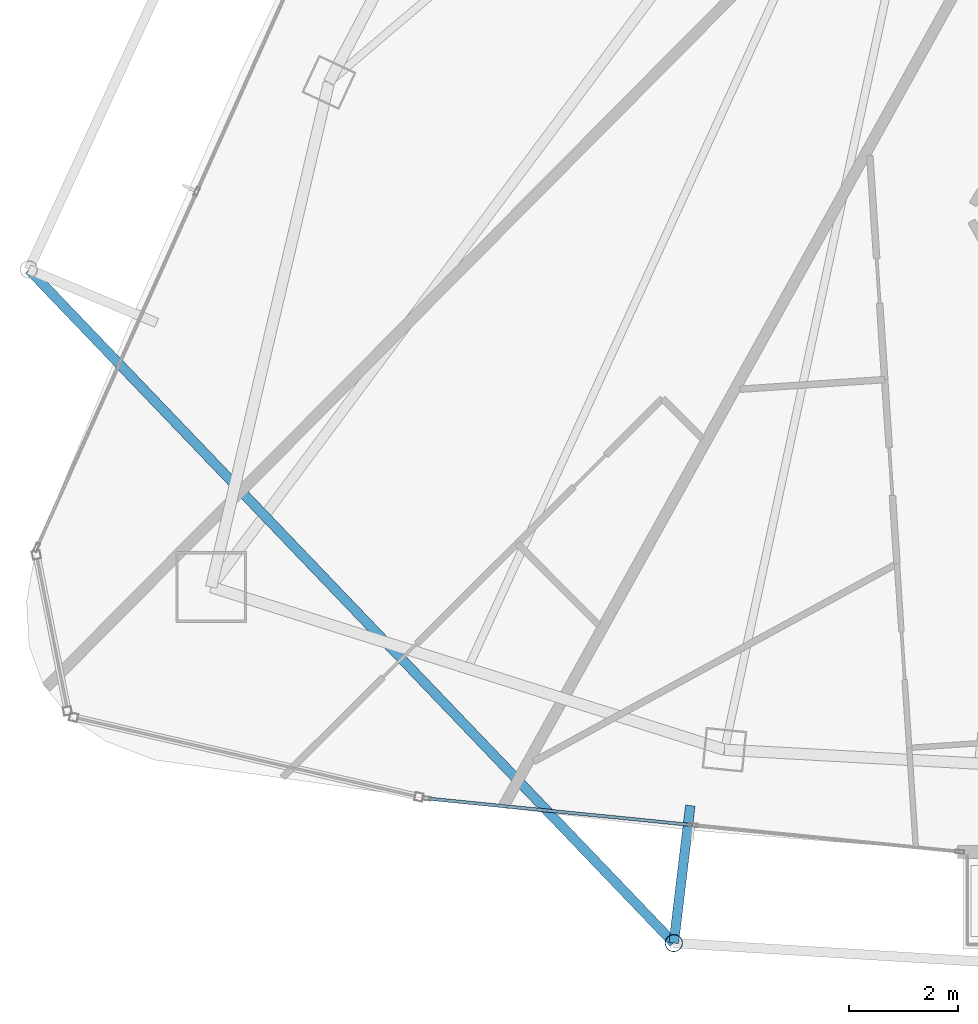
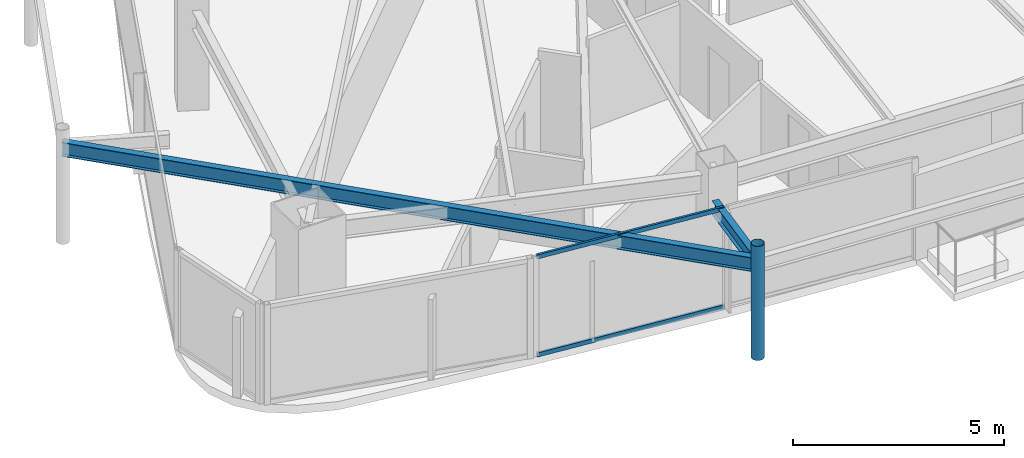
# One storey, part 3 of 29: 3 members, 2 beams, 1 element without a shape of its own.
"""IFC4 building model written with IfcOpenShell, lengths in metres."""

from ifc_helpers import new_model, si_unit, direction, frame, origin, origin_2d, place, context, subcontext, project, spatial, hollow_rectangle, hollow_circle, i_section, extrude, material, layer, layer_set, material_profile, profile_set, type_object, element, aggregate, save


model = new_model("IFC4")

# Units and contexts
model_context = context("Model", 3, precision=1e-05, world=origin(), true_north=direction((0.0, 1.0)))
body_context = subcontext(model_context, "Body", "Model", "MODEL_VIEW")
ifc_project = project(units=[si_unit("LENGTHUNIT", "METRE"), si_unit("AREAUNIT", "SQUARE_METRE"), si_unit("VOLUMEUNIT", "CUBIC_METRE"), si_unit("PLANEANGLEUNIT", "RADIAN"), si_unit("MASSUNIT", "GRAM", prefix="KILO")], contexts=[model_context])

# Site, building, storey
site_placement = place(None, origin())
site = spatial("IfcSite", under=ifc_project, at=site_placement, CompositionType="ELEMENT")
building_placement = place(site_placement, origin())
building = spatial("IfcBuilding", under=site, at=building_placement, Name="Orvanel Arch Residences", CompositionType="ELEMENT")
storey_placement = place(building_placement, frame((0.0, 0.0, 253.550048828125)))
storey = spatial("IfcBuildingStorey", under=building, at=storey_placement, Name="L72", CompositionType="ELEMENT", Elevation=253.550048828125)

# Beams
ifc_material_1 = material(Name="Structural steel AS/NZS 3679.1 Grade 300 (300 MPa)", Category="steel")
ifc_material_profile_1 = material_profile(ifc_material_1, i_section(OverallWidth=0.177978515625, OverallDepth=0.406005859375, WebThickness=0.0078125, FlangeThickness=0.0126953125, at=origin_2d()), Name="410UB59.7")
ifc_profile_set_1 = profile_set([ifc_material_profile_1], Name="Structural steel AS/NZS 3679.1 Grade 300 (300 MPa)")
beam_type = type_object("IfcBeamType", Name="OB-410UB-EXT", PredefinedType="SPANDREL", material=ifc_profile_set_1)
beam_1_placement = place(storey_placement, frame((10.841064453125, 16.197021484375, 2.697021484375), z_axis=(0.691619639198, -0.722261915565, 0.0), x_axis=(0.722261915565, 0.691619639198, 0.0)))
element("IfcBeam", 1, at=beam_1_placement, inside=storey, type_object=beam_type, Name="L72 Outer Perimeter Floor Ring Beam 04", PredefinedType="SPANDREL", context=body_context, shape_type="SweptSolid", body=[
    extrude(i_section(OverallWidth=0.177978515625, OverallDepth=0.406005859375, WebThickness=0.0078125, FlangeThickness=0.0126953125, at=origin_2d()), origin(), (0.0, 0.0, 1.0), 17.169921875),
])
beam_2_placement = place(storey_placement, frame((23.02001953125, 6.327880859375, 2.697021484375), z_axis=(-0.119190521137, -0.992871401376, 0.0), x_axis=(0.992871401376, -0.119190521137, 0.0)))
element("IfcBeam", 2, at=beam_2_placement, inside=storey, type_object=beam_type, Name="L72 Outer Frame Radial Tie Beam 05", PredefinedType="SPANDREL", context=body_context, shape_type="SweptSolid", body=[
    extrude(i_section(OverallWidth=0.177978515625, OverallDepth=0.406005859375, WebThickness=0.0078125, FlangeThickness=0.0126953125, at=origin_2d()), origin(), (0.0, 0.0, 1.0), 2.550048828125),
])

# Member
ifc_material_2 = material(Name="Structural steel AS/NZS 1163 C350L0 (Grade 350)", Category="steel")
ifc_material_profile_2 = material_profile(ifc_material_2, hollow_circle(Radius=0.162109375, WallThickness=0.0126953125, at=origin_2d()), Name="CHS324x12.7")
ifc_profile_set_2 = profile_set([ifc_material_profile_2], Name="Structural steel AS/NZS 1163 C350L0 (Grade 350)")
member_type_1 = type_object("IfcMemberType", Name="ST-324CHS-EXT", PredefinedType="STRUT", material=ifc_profile_set_2)
member_1_placement = place(storey_placement, frame((22.716064453125, 3.7958984375, 0.0), z_axis=(0.0, 0.0, 1.0), x_axis=(1.0, 0.0, 0.0)))
element("IfcMember", 3, at=member_1_placement, inside=storey, type_object=member_type_1, Name="L72 Outer Perimeter Frame Post 05", PredefinedType="STRUT", context=body_context, shape_type="SweptSolid", body=[
    extrude(hollow_circle(Radius=0.162109375, WallThickness=0.0126953125, at=origin_2d()), origin(), (0.0, 0.0, 1.0), 3.300048828125),
])

# Curtain wall, members
ifc_material_3 = material(Name="Bronze-anodised aluminium AA6063-T6", Category="aluminium")
ifc_layer = layer(ifc_material_3, 0.175048828125)
ifc_layer_set = layer_set([ifc_layer], Name="Bronze-anodised aluminium AA6063-T6")
curtain_wall_type = type_object("IfcCurtainWallType", Name="CW4-HI-SYS", PredefinedType="NOTDEFINED", material=ifc_layer_set)
curtain_wall_placement = place(storey_placement, origin())
curtain_wall = element("IfcCurtainWall", 4, at=curtain_wall_placement, inside=storey, type_object=curtain_wall_type, Name="L72 CW4-HI-SYS Unitised Curtain Wall", PredefinedType="NOTDEFINED")
ifc_material_profile_3 = material_profile(ifc_material_3, hollow_rectangle(XDim=0.06005859375, YDim=0.1201171875, WallThickness=0.00341796875, at=origin_2d()), Name="ALU120x60x3.5")
ifc_profile_set_3 = profile_set([ifc_material_profile_3], Name="Bronze-anodised aluminium AA6063-T6")
member_type_2 = type_object("IfcMemberType", Name="TRN-120x60", PredefinedType="USERDEFINED", material=ifc_profile_set_3)
member_2_placement = place(storey_placement, frame((18.20166015625, 6.45458984375, 0.030029296875), z_axis=(0.995027751564, -0.09959806031, 0.0), x_axis=(0.09959806031, 0.995027751564, 0.0)))
member_2 = element("IfcMember", 5, at=member_2_placement, type_object=member_type_2, Name="CW-S4 transom 1.1", ObjectType="TRANSOM", PredefinedType="USERDEFINED", context=body_context, shape_type="SweptSolid", body=[
    extrude(hollow_rectangle(XDim=0.06005859375, YDim=0.1201171875, WallThickness=0.00341796875, at=origin_2d()), origin(), (0.0, 0.0, 1.0), 4.8681640625),
])
member_3_placement = place(storey_placement, frame((18.20166015625, 6.45458984375, 2.869873046875), z_axis=(0.995027751564, -0.09959806031, 0.0), x_axis=(0.09959806031, 0.995027751564, 0.0)))
member_3 = element("IfcMember", 6, at=member_3_placement, type_object=member_type_2, Name="CW-S4 transom 1.2", ObjectType="TRANSOM", PredefinedType="USERDEFINED", context=body_context, shape_type="SweptSolid", body=[
    extrude(hollow_rectangle(XDim=0.06005859375, YDim=0.1201171875, WallThickness=0.00341796875, at=origin_2d()), origin(), (0.0, 0.0, 1.0), 4.8681640625),
])
aggregate(curtain_wall, [member_2, member_3])

save(model, "model.ifc")
